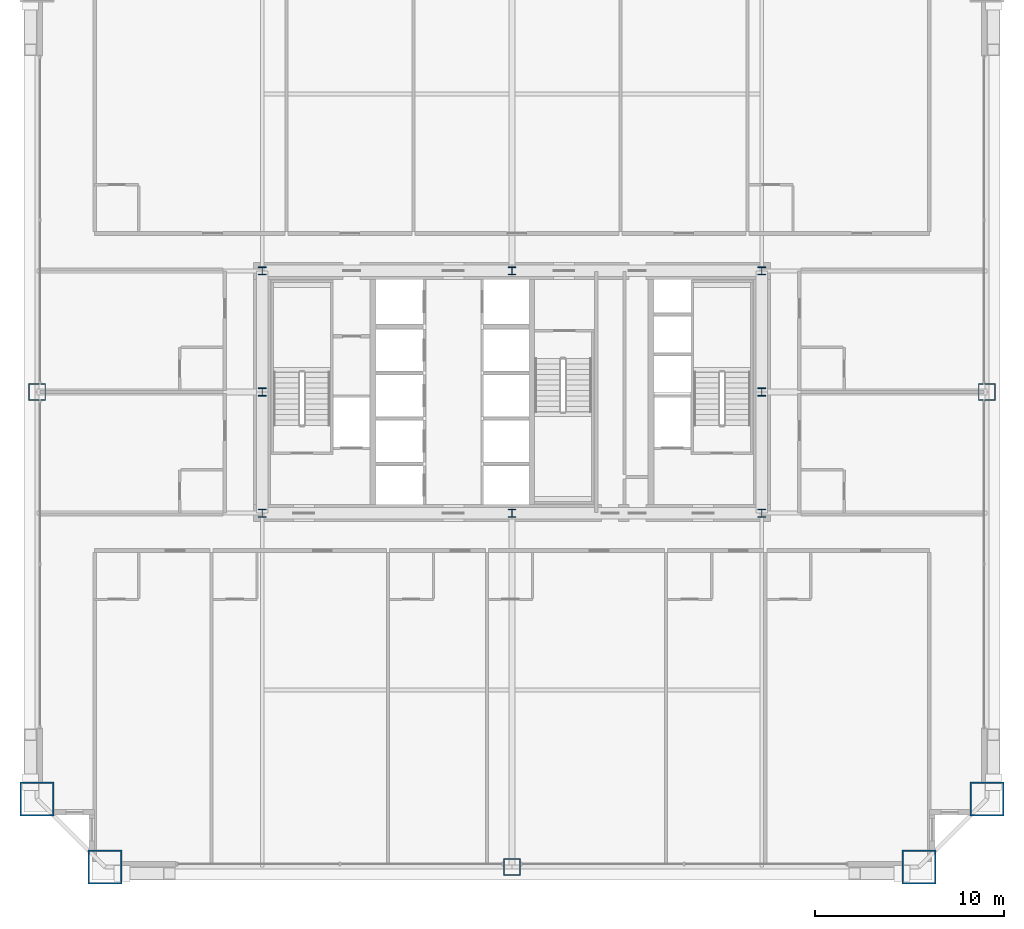
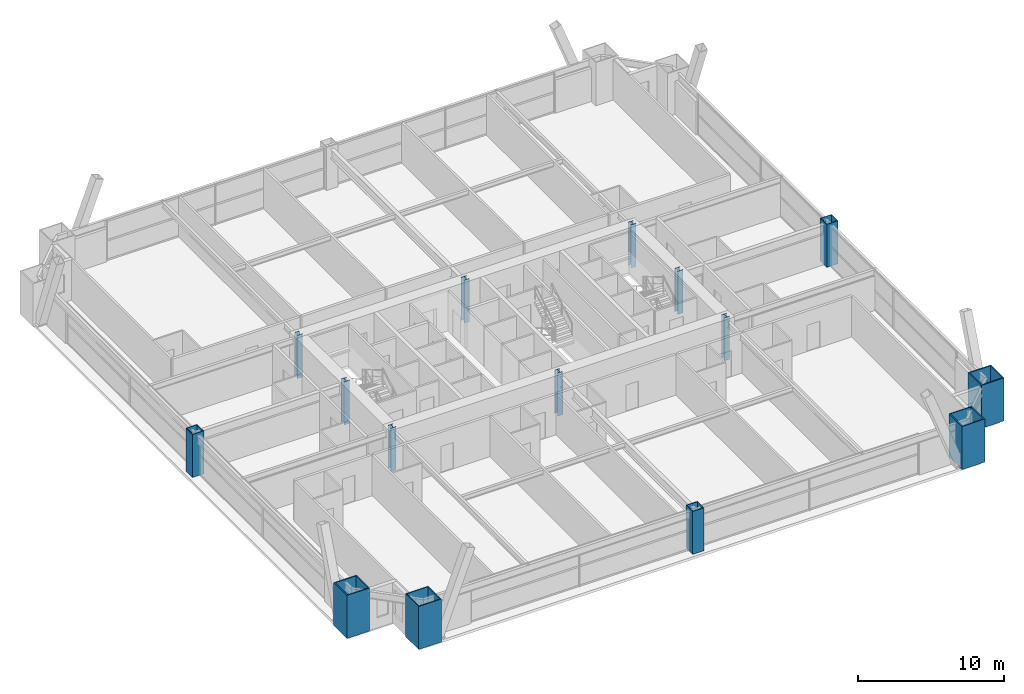
# One storey, part 1 of 43: 15 columns.
"""IFC4 building model written with IfcOpenShell, lengths in metres."""

import ifcopenshell
import ifcopenshell.guid

model = None  # the IFC model being written
_history = None  # IfcOwnerHistory: only IFC2X3 demands one
_inside = {}  # id of a spatial element -> (the spatial element, [elements in it])
_under = {}  # id of a project, library or spatial element -> (it, [spatial elements below it])
_declared = {}  # id of a project -> (the project, [libraries it declares])
_typed = {}  # id of a type object -> (the type object, [elements of that type])
_made_of = {}  # id of a material, layer set ... -> (it, [elements and type objects made of it])


def new_model(schema):
    """Start an empty IFC model of exactly this schema.

    Asked for "IFC4X3", IfcOpenShell would pick the latest addendum, in which some entities
    have other attributes; the version numbers below select the first issue.
    IFC2X3 requires an IfcOwnerHistory on every rooted entity: one is made here for all.
    """
    global model, _history
    if schema == "IFC4X3":
        model = ifcopenshell.file(schema_version=(4, 3, 0, 0))
    else:
        model = ifcopenshell.file(schema=schema)
    _inside.clear()
    _under.clear()
    _declared.clear()
    _typed.clear()
    _made_of.clear()
    _history = None
    if model.schema == "IFC2X3":
        org = make("IfcOrganization", Name="unknown")
        user = make(
            "IfcPersonAndOrganization",
            ThePerson=make("IfcPerson", FamilyName="unknown"),
            TheOrganization=org,
        )
        app = make(
            "IfcApplication",
            ApplicationDeveloper=org,
            Version="unknown",
            ApplicationFullName="unknown",
            ApplicationIdentifier="unknown",
        )
        _history = make(
            "IfcOwnerHistory",
            OwningUser=user,
            OwningApplication=app,
            ChangeAction="ADDED",
            CreationDate=0,
        )
    return model


def make(cls, **values):
    """One entity of the class cls with the attributes given. An attribute that is None is left unset."""
    return model.create_entity(
        cls, **{name: value for name, value in values.items() if value is not None}
    )


def rooted(cls, **values):
    """An entity with a GlobalId (a new one), such as an element, a storey or a relation."""
    return make(cls, GlobalId=ifcopenshell.guid.new(), OwnerHistory=_history, **values)


def si_unit(unit_type, name, prefix=None):
    """IfcSIUnit, for example si_unit("LENGTHUNIT", "METRE", prefix="MILLI")."""
    return make("IfcSIUnit", UnitType=unit_type, Prefix=prefix, Name=name)


def assignment(units):
    """IfcUnitAssignment: the units of a project."""
    return None if units is None else make("IfcUnitAssignment", Units=units)


def point(xyz):
    """IfcCartesianPoint."""
    return None if xyz is None else make("IfcCartesianPoint", Coordinates=xyz)


def direction(xyz):
    """IfcDirection."""
    return None if xyz is None else make("IfcDirection", DirectionRatios=xyz)


def frame(location, z_axis=None, x_axis=None):
    """IfcAxis2Placement3D, a coordinate frame: its origin and axes. An axis left out is left unset."""
    return make(
        "IfcAxis2Placement3D",
        Location=point(location),
        Axis=direction(z_axis),
        RefDirection=direction(x_axis),
    )


def frame_2d(location, x_axis=None):
    """IfcAxis2Placement2D, a coordinate frame in the plane: its origin and x axis."""
    return make(
        "IfcAxis2Placement2D", Location=point(location), RefDirection=direction(x_axis)
    )


def origin():
    """The frame at (0, 0, 0) with its axes left unset."""
    return frame((0.0, 0.0, 0.0))


def origin_2d():
    """The frame at (0, 0) in the plane with its x axis left unset."""
    return frame_2d((0.0, 0.0))


def place(relative_to, where):
    """IfcLocalPlacement: puts the frame where relative to a parent placement (None: the world)."""
    return make(
        "IfcLocalPlacement", PlacementRelTo=relative_to, RelativePlacement=where
    )


def context(
    kind, dimensions, precision=None, world=None, true_north=None, identifier=None
):
    """IfcGeometricRepresentationContext, for example the 3D "Model" context."""
    return make(
        "IfcGeometricRepresentationContext",
        ContextIdentifier=identifier,
        ContextType=kind,
        CoordinateSpaceDimension=dimensions,
        Precision=precision,
        WorldCoordinateSystem=world,
        TrueNorth=true_north,
    )


def subcontext(parent, identifier, kind, view, scale=None):
    """IfcGeometricRepresentationSubContext, for example "Body" below "Model"."""
    return make(
        "IfcGeometricRepresentationSubContext",
        ContextIdentifier=identifier,
        ContextType=kind,
        ParentContext=parent,
        TargetScale=scale,
        TargetView=view,
    )


def project(units=None, contexts=None):
    """IfcProject with its units and contexts."""
    return rooted(
        "IfcProject",
        Name="project",
        RepresentationContexts=contexts,
        UnitsInContext=assignment(units),
    )


def spatial(cls, under=None, at=None, **own):
    """A site, building, storey or space (cls), placed at a placement, below another one or the project."""
    s = rooted(cls, ObjectPlacement=at, **own)
    if under is not None:
        _under.setdefault(under.id(), (under, []))[1].append(s)
    return s


def profile(cls, at=None, kind="AREA", **sizes):
    """A parametric profile (cls). Its sizes go by their IFC names, for example OverallWidth=200.0."""
    return make(cls, ProfileType=kind, Position=at, **sizes)


def hollow_rectangle(**sizes):
    """IfcRectangleHollowProfileDef."""
    return profile("IfcRectangleHollowProfileDef", **sizes)


def i_section(**sizes):
    """IfcIShapeProfileDef."""
    return profile("IfcIShapeProfileDef", **sizes)


def extrude(swept, where, along, depth):
    """IfcExtrudedAreaSolid: the profile swept, set in the frame where, extruded along a direction by depth."""
    return make(
        "IfcExtrudedAreaSolid",
        SweptArea=swept,
        Position=where,
        ExtrudedDirection=direction(along),
        Depth=depth,
    )


def shape(context_of_items, identifier, shape_type, items):
    """IfcShapeRepresentation: the items that make up one representation, for example the "Body"."""
    return make(
        "IfcShapeRepresentation",
        ContextOfItems=context_of_items,
        RepresentationIdentifier=identifier,
        RepresentationType=shape_type,
        Items=items,
    )


def source(mapping_origin, context_of_items, identifier, shape_type, items):
    """IfcRepresentationMap: a shape defined once, which mapped items show again and again."""
    return make(
        "IfcRepresentationMap",
        MappingOrigin=mapping_origin,
        MappedRepresentation=shape(context_of_items, identifier, shape_type, items),
    )


def transform(
    local_origin,
    x_axis=None,
    y_axis=None,
    z_axis=None,
    scale=None,
    scale2=None,
    scale3=None,
    uniform=True,
):
    """IfcCartesianTransformationOperator3D, or its non-uniform kind. x_axis, y_axis, z_axis: its Axis1, 2, 3."""
    if uniform:
        return make(
            "IfcCartesianTransformationOperator3D",
            Axis1=direction(x_axis),
            Axis2=direction(y_axis),
            LocalOrigin=point(local_origin),
            Scale=scale,
            Axis3=direction(z_axis),
        )
    return make(
        "IfcCartesianTransformationOperator3DnonUniform",
        Axis1=direction(x_axis),
        Axis2=direction(y_axis),
        LocalOrigin=point(local_origin),
        Scale=scale,
        Axis3=direction(z_axis),
        Scale2=scale2,
        Scale3=scale3,
    )


def mapped(mapping_source, mapping_target):
    """IfcMappedItem: shows the shape of a source again, moved by a transform."""
    return make(
        "IfcMappedItem", MappingSource=mapping_source, MappingTarget=mapping_target
    )


def material(Name=None, Category=None):
    """IfcMaterial."""
    return make("IfcMaterial", Name=Name, Category=Category)


def material_profile(
    of_material, cross_section, Name=None, Category=None, Priority=None
):
    """IfcMaterialProfile: a cross section and its material."""
    return make(
        "IfcMaterialProfile",
        Name=Name,
        Material=of_material,
        Profile=cross_section,
        Priority=Priority,
        Category=Category,
    )


def profile_set(profiles, Name=None, composite=None):
    """IfcMaterialProfileSet."""
    return make(
        "IfcMaterialProfileSet",
        Name=Name,
        MaterialProfiles=profiles,
        CompositeProfile=composite,
    )


def made_of(thing, what):
    """Note that an element or type object is made of a material, layer set ...; save() writes the relation."""
    if what is not None:
        _made_of.setdefault(what.id(), (what, []))[1].append(thing)
    return thing


def type_object(cls, material=None, **own):
    """A type object (cls), such as IfcWallType, which elements share."""
    return made_of(rooted(cls, **own), material)


def element(
    cls,
    number,
    at=None,
    inside=None,
    cuts=None,
    type_object=None,
    material=None,
    context=None,
    identifier="Body",
    shape_type=None,
    held_by="IfcProductDefinitionShape",
    body=None,
    shapes=None,
    **own,
):
    """One element of the class cls, such as IfcWall. Its Tag is "e" and its number.

    at: its placement. inside: the storey or other place that contains it. cuts: it is an
    opening in that element (IfcRelVoidsElement). A single representation is given by context,
    identifier, shape_type and body (its items); several are given by shapes. held_by: the class
    of the entity that holds the representations. save() writes the other relations.
    """
    e = rooted(cls, Tag="e%d" % number, ObjectPlacement=at, **own)
    if body is not None:
        shapes = [shape(context, identifier, shape_type, body)]
    if shapes is not None:
        e.Representation = make(held_by, Representations=shapes)
    if inside is not None:
        _inside.setdefault(inside.id(), (inside, []))[1].append(e)
    if cuts is not None:
        rooted(
            "IfcRelVoidsElement", RelatingBuildingElement=cuts, RelatedOpeningElement=e
        )
    if type_object is not None:
        _typed.setdefault(type_object.id(), (type_object, []))[1].append(e)
    return made_of(e, material)


def aggregate(whole, parts):
    """IfcRelAggregates: a whole, such as a stair, and the parts it consists of."""
    return rooted("IfcRelAggregates", RelatingObject=whole, RelatedObjects=parts)


def save(model, path):
    """Write the relations noted so far, then the file.

    IfcRelAggregates (storeys below a building ...), IfcRelContainedInSpatialStructure (elements
    in a storey), IfcRelDefinesByType, IfcRelAssociatesMaterial and IfcRelDeclares: one each for
    every whole, place, type object, material and project.
    """
    for whole, parts in _under.values():
        aggregate(whole, parts)
    for where, things in _inside.values():
        rooted(
            "IfcRelContainedInSpatialStructure",
            RelatedElements=things,
            RelatingStructure=where,
        )
    for kind, things in _typed.values():
        rooted("IfcRelDefinesByType", RelatedObjects=things, RelatingType=kind)
    for what, things in _made_of.values():
        rooted("IfcRelAssociatesMaterial", RelatedObjects=things, RelatingMaterial=what)
    for by, libraries in _declared.values():
        rooted("IfcRelDeclares", RelatingContext=by, RelatedDefinitions=libraries)
    model.write(path)


model = new_model("IFC4")

# Units and contexts
model_context = context("Model", 3, precision=1e-05, world=origin(), true_north=direction((0.0, 1.0)))
body_context = subcontext(model_context, "Body", "Model", "MODEL_VIEW")
ifc_project = project(units=[si_unit("LENGTHUNIT", "METRE"), si_unit("AREAUNIT", "SQUARE_METRE"), si_unit("VOLUMEUNIT", "CUBIC_METRE"), si_unit("PLANEANGLEUNIT", "RADIAN"), si_unit("MASSUNIT", "GRAM", prefix="KILO"), si_unit("THERMODYNAMICTEMPERATUREUNIT", "KELVIN"), si_unit("POWERUNIT", "WATT")], contexts=[model_context])

# Site, building, storey
site_placement = place(None, origin())
site = spatial("IfcSite", under=ifc_project, at=site_placement, CompositionType="ELEMENT")
building_placement = place(site_placement, origin())
building = spatial("IfcBuilding", under=site, at=building_placement, Name="Yuzanri Waterfront Tower", CompositionType="ELEMENT")
storey_placement = place(building_placement, frame((0.0, 0.0, 60.39990234375)))
storey = spatial("IfcBuildingStorey", under=building, at=storey_placement, Name="L15", CompositionType="ELEMENT", Elevation=60.39990234375)

# Columns
ifc_material_1 = material(Name="Steel Q355B", Category="steel")
ifc_material_profile_1 = material_profile(ifc_material_1, i_section(OverallWidth=0.406982421875, OverallDepth=0.427978515625, WebThickness=0.02001953125, FlangeThickness=0.034912109375, at=origin_2d()), Name="HW 428x407x20x35")
ifc_profile_set_1 = profile_set([ifc_material_profile_1], Name="Steel Q355B")
column_type_1 = type_object("IfcColumnType", Name="Core Post Q355B HW 428x407x20x35", PredefinedType="COLUMN", material=ifc_profile_set_1)
shared_shape_1 = source(origin(), body_context, "Body", "SweptSolid", [
    extrude(i_section(OverallWidth=0.406982421875, OverallDepth=0.427978515625, WebThickness=0.02001953125, FlangeThickness=0.034912109375, at=origin_2d()), origin(), (0.0, 0.0, 1.0), 3.60009765625),
])
for number, where, z_axis, x_axis, name in (
    (1, (23.800048828125, 19.39990234375, 0.0), (0.0, 0.0, 1.0), (1.0, 0.0, 0.0), "L15 Core Boundary Column CP1"),
    (2, (37.0, 19.39990234375, 0.0), (0.0, 0.0, 1.0), (1.0, 0.0, 0.0), "L15 Core Boundary Column CP2"),
    (3, (50.199951171875, 19.39990234375, 0.0), (0.0, 0.0, 1.0), (1.0, 0.0, 0.0), "L15 Core Boundary Column CP3"),
    (4, (23.800048828125, 25.800048828125, 0.0), (0.0, 0.0, 1.0), (1.0, 0.0, 0.0), "L15 Core Boundary Column CP4"),
    (5, (50.199951171875, 25.800048828125, 0.0), (0.0, 0.0, 1.0), (1.0, 0.0, 0.0), "L15 Core Boundary Column CP5"),
    (6, (23.800048828125, 32.199951171875, 0.0), (0.0, 0.0, 1.0), (1.0, 0.0, 0.0), "L15 Core Boundary Column CP6"),
    (7, (37.0, 32.199951171875, 0.0), (0.0, 0.0, 1.0), (1.0, 0.0, 0.0), "L15 Core Boundary Column CP7"),
    (8, (50.199951171875, 32.199951171875, 0.0), (0.0, 0.0, 1.0), (1.0, 0.0, 0.0), "L15 Core Boundary Column CP8"),
):
    element("IfcColumn", number, at=place(storey_placement, frame(where, z_axis=z_axis, x_axis=x_axis)), inside=storey, type_object=column_type_1, Name=name, PredefinedType="COLUMN", context=body_context, shape_type="MappedRepresentation", body=[
        mapped(shared_shape_1, transform((0.0, 0.0, 0.0), scale=1.0)),
    ])
ifc_material_2 = material(Name="Steel Q420GJC", Category="steel")
ifc_material_profile_2 = material_profile(ifc_material_2, hollow_rectangle(XDim=1.800048828125, YDim=1.800048828125, WallThickness=0.080078125, at=origin_2d()), Name="RHS 1800x1800x80")
ifc_profile_set_2 = profile_set([ifc_material_profile_2], Name="Steel Q420GJC")
column_type_2 = type_object("IfcColumnType", Name="Mega Column Q420GJC RHS 1800x1800x80", PredefinedType="COLUMN", material=ifc_profile_set_2)
shared_shape_2 = source(origin(), body_context, "Body", "SweptSolid", [
    extrude(hollow_rectangle(XDim=1.800048828125, YDim=1.800048828125, WallThickness=0.080078125, at=origin_2d()), origin(), (0.0, 0.0, 1.0), 3.60009765625),
])
for number, where, z_axis, x_axis, name in (
    (9, (15.5, 0.699951171875, 0.0), (0.0, 0.0, 1.0), (1.0, 0.0, 0.0), "L15 Perimeter Mega Column S1"),
    (10, (58.5, 0.699951171875, 0.0), (0.0, 0.0, 1.0), (1.0, 0.0, 0.0), "L15 Perimeter Mega Column S3"),
    (11, (11.89990234375, 4.300048828125, 0.0), (0.0, 0.0, 1.0), (1.0, 0.0, 0.0), "L15 Perimeter Mega Column W1"),
    (12, (62.10009765625, 4.300048828125, 0.0), (0.0, 0.0, 1.0), (1.0, 0.0, 0.0), "L15 Perimeter Mega Column E1"),
):
    element("IfcColumn", number, at=place(storey_placement, frame(where, z_axis=z_axis, x_axis=x_axis)), inside=storey, type_object=column_type_2, Name=name, PredefinedType="COLUMN", context=body_context, shape_type="MappedRepresentation", body=[
        mapped(shared_shape_2, transform((0.0, 0.0, 0.0), scale=1.0)),
    ])
ifc_material_3 = material(Name="Steel Q390GJC", Category="steel")
ifc_material_profile_3 = material_profile(ifc_material_3, hollow_rectangle(XDim=0.89990234375, YDim=0.89990234375, WallThickness=0.0419921875, at=origin_2d()), Name="RHS 900x900x42")
ifc_profile_set_3 = profile_set([ifc_material_profile_3], Name="Steel Q390GJC")
column_type_3 = type_object("IfcColumnType", Name="Frame Column Q390GJC RHS 900x900x42", PredefinedType="COLUMN", material=ifc_profile_set_3)
shared_shape_3 = source(origin(), body_context, "Body", "SweptSolid", [
    extrude(hollow_rectangle(XDim=0.89990234375, YDim=0.89990234375, WallThickness=0.0419921875, at=origin_2d()), origin(), (0.0, 0.0, 1.0), 3.60009765625),
])
for number, where, z_axis, x_axis, name in (
    (13, (37.0, 0.699951171875, 0.0), (0.0, 0.0, 1.0), (1.0, 0.0, 0.0), "L15 Perimeter Frame Column S2"),
    (14, (11.89990234375, 25.800048828125, 0.0), (0.0, 0.0, 1.0), (1.0, 0.0, 0.0), "L15 Perimeter Frame Column W2"),
    (15, (62.10009765625, 25.800048828125, 0.0), (0.0, 0.0, 1.0), (1.0, 0.0, 0.0), "L15 Perimeter Frame Column E2"),
):
    element("IfcColumn", number, at=place(storey_placement, frame(where, z_axis=z_axis, x_axis=x_axis)), inside=storey, type_object=column_type_3, Name=name, PredefinedType="COLUMN", context=body_context, shape_type="MappedRepresentation", body=[
        mapped(shared_shape_3, transform((0.0, 0.0, 0.0), scale=1.0)),
    ])

save(model, "model.ifc")
